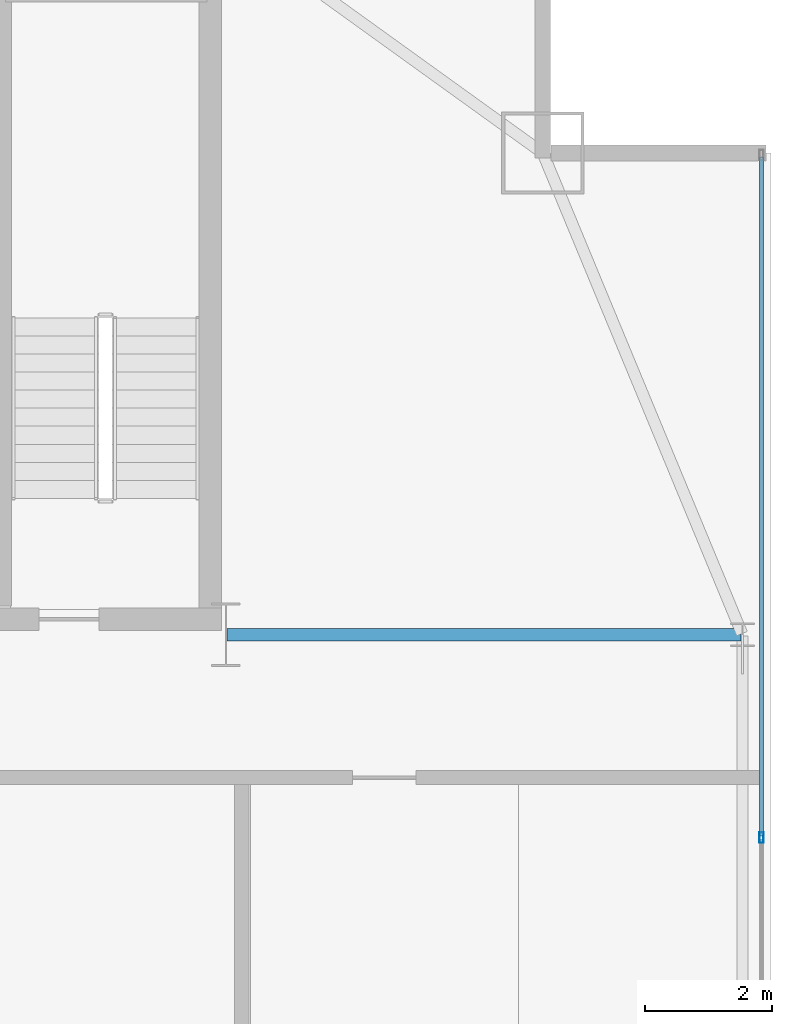
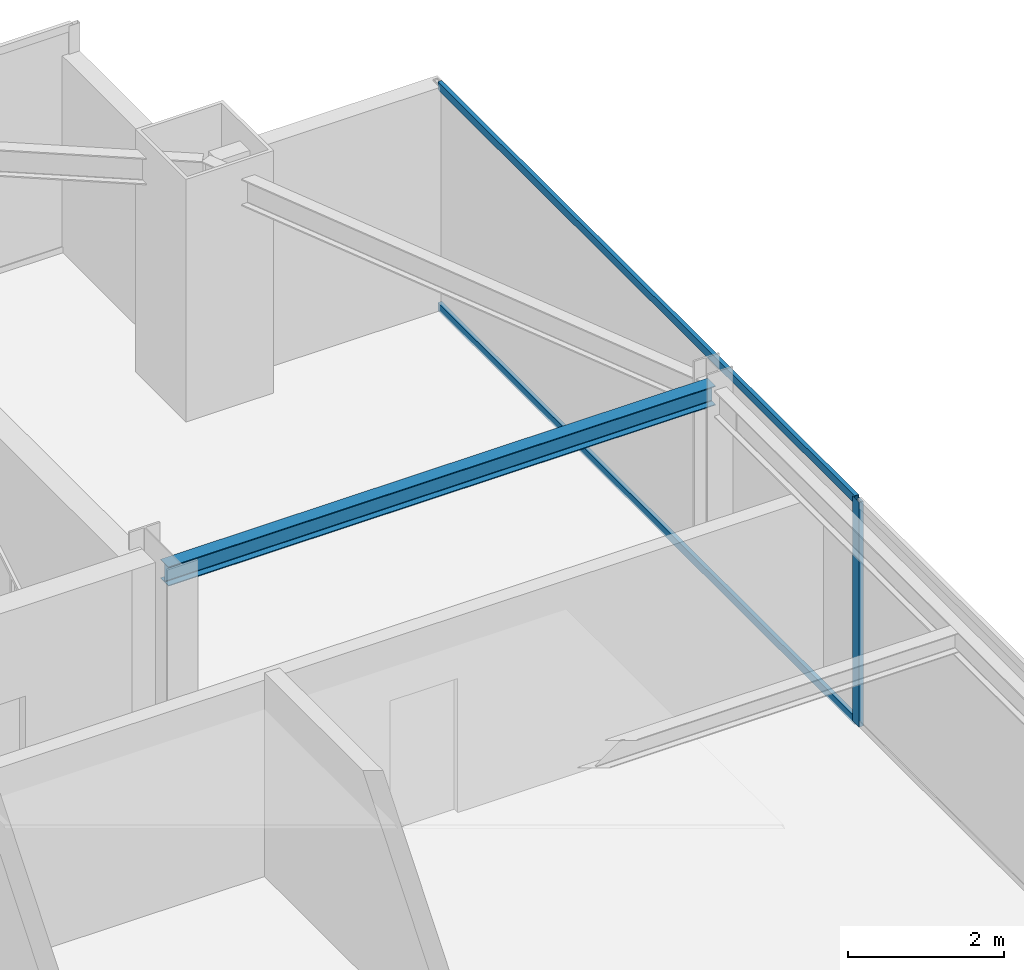
# One storey, part 19 of 29: 3 members, 1 beam, 1 element without a shape of its own.
"""IFC4 building model written with IfcOpenShell, lengths in metres."""

from ifc_helpers import new_model, si_unit, direction, frame, origin, origin_2d, place, context, subcontext, project, spatial, hollow_rectangle, i_section, extrude, source, transform, mapped, material, layer, layer_set, material_profile, profile_set, type_object, type_shapes, element, aggregate, save


model = new_model("IFC4")

# Units and contexts
model_context = context("Model", 3, precision=1e-05, world=origin(), true_north=direction((0.0, 1.0)))
body_context = subcontext(model_context, "Body", "Model", "MODEL_VIEW")
ifc_project = project(units=[si_unit("LENGTHUNIT", "METRE"), si_unit("AREAUNIT", "SQUARE_METRE"), si_unit("VOLUMEUNIT", "CUBIC_METRE"), si_unit("PLANEANGLEUNIT", "RADIAN"), si_unit("MASSUNIT", "GRAM", prefix="KILO")], contexts=[model_context])

# Site, building, storey
site_placement = place(None, origin())
site = spatial("IfcSite", under=ifc_project, at=site_placement, CompositionType="ELEMENT")
building_placement = place(site_placement, origin())
building = spatial("IfcBuilding", under=site, at=building_placement, Name="Varnel Quay Broadcast Tower", CompositionType="ELEMENT")
storey_placement = place(building_placement, frame((0.0, 0.0, 187.60009765625)))
storey = spatial("IfcBuildingStorey", under=building, at=storey_placement, Name="L46", CompositionType="ELEMENT", Elevation=187.60009765625)

# Beam
ifc_material_1 = material(Name="Structural Steel CSA G40.21 350W", Category="steel")
ifc_material_profile_1 = material_profile(ifc_material_1, i_section(OverallWidth=0.202880859375, OverallDepth=0.302978515625, WebThickness=0.007568359375, FlangeThickness=0.01318359375, FilletRadius=0.011962890625, at=origin_2d()), Name="W310X60")
ifc_profile_set_1 = profile_set([ifc_material_profile_1], Name="Structural Steel CSA G40.21 350W")
beam_type = type_object("IfcBeamType", Name="Beam_W310X60", PredefinedType="JOIST", material=ifc_profile_set_1)
shared_shape_1 = source(origin(), body_context, "Body", "SweptSolid", [
    extrude(i_section(OverallWidth=0.202880859375, OverallDepth=0.302978515625, WebThickness=0.007568359375, FlangeThickness=0.01318359375, FilletRadius=0.011962890625, at=origin_2d()), origin(), (0.0, 0.0, 1.0), 8.110107421875),
])
type_shapes(beam_type, [shared_shape_1])
beam_placement = place(storey_placement, frame((52.419921875, 35.60009765625, 3.368408203125), z_axis=(1.0, 0.0, 0.0), x_axis=(0.0, 1.0, 0.0)))
element("IfcBeam", 1, at=beam_placement, inside=storey, type_object=beam_type, Name="L46 East Core Tie Joist", PredefinedType="JOIST", context=body_context, shape_type="MappedRepresentation", body=[
    mapped(shared_shape_1, transform((0.0, 0.0, 0.0), x_axis=(1.0, 0.0, 0.0), y_axis=(0.0, 1.0, 0.0), z_axis=(0.0, 0.0, 1.0), scale=1.0)),
])

# Curtain wall, members
ifc_material_2 = material(Name="Anodised Bronze Aluminium 6063-T6", Category="aluminium")
ifc_layer = layer(ifc_material_2, 0.18994140625, Name="Anodised Bronze Aluminium 6063-T6")
ifc_layer_set = layer_set([ifc_layer], Name="Anodised Bronze Aluminium 6063-T6")
curtain_wall_type = type_object("IfcCurtainWallType", Name="CW_UpperTower", PredefinedType="NOTDEFINED", material=ifc_layer_set)
curtain_wall_placement = place(storey_placement, origin())
curtain_wall = element("IfcCurtainWall", 2, at=curtain_wall_placement, inside=storey, type_object=curtain_wall_type, Name="L46 East Unitised Curtain Wall", PredefinedType="NOTDEFINED")
ifc_material_profile_2 = material_profile(ifc_material_2, hollow_rectangle(XDim=0.06005859375, YDim=0.125, WallThickness=0.0029296875, at=origin_2d()), Name="ALU60X125X3")
ifc_profile_set_2 = profile_set([ifc_material_profile_2], Name="Anodised Bronze Aluminium 6063-T6")
member_type_1 = type_object("IfcMemberType", Name="Tran_CWS-03", PredefinedType="USERDEFINED", material=ifc_profile_set_2)
shared_shape_2 = source(origin(), body_context, "Body", "SweptSolid", [
    extrude(hollow_rectangle(XDim=0.06005859375, YDim=0.125, WallThickness=0.0029296875, at=origin_2d()), origin(), (0.0, 0.0, 1.0), 10.702392578125),
])
type_shapes(member_type_1, [shared_shape_2])
member_1_placement = place(storey_placement, frame((60.85009765625, 32.4326171875, 0.02978515625), z_axis=(0.0, 1.0, 0.0), x_axis=(-1.0, 0.0, 0.0)))
member_1 = element("IfcMember", 3, at=member_1_placement, type_object=member_type_1, Name="CWS-03 transom 3.1", ObjectType="TRANSOM", PredefinedType="USERDEFINED", context=body_context, shape_type="MappedRepresentation", body=[
    mapped(shared_shape_2, transform((0.0, 0.0, 0.0), x_axis=(1.0, 0.0, 0.0), y_axis=(0.0, 1.0, 0.0), z_axis=(0.0, 0.0, 1.0), scale=1.0)),
])
member_2_placement = place(storey_placement, frame((60.85009765625, 32.4326171875, 3.489990234375), z_axis=(0.0, 1.0, 0.0), x_axis=(-1.0, 0.0, 0.0)))
member_2 = element("IfcMember", 4, at=member_2_placement, type_object=member_type_1, Name="CWS-03 transom 3.2", ObjectType="TRANSOM", PredefinedType="USERDEFINED", context=body_context, shape_type="MappedRepresentation", body=[
    mapped(shared_shape_2, transform((0.0, 0.0, 0.0), x_axis=(1.0, 0.0, 0.0), y_axis=(0.0, 1.0, 0.0), z_axis=(0.0, 0.0, 1.0), scale=1.0)),
])
ifc_material_profile_3 = material_profile(ifc_material_2, hollow_rectangle(XDim=0.06494140625, YDim=0.1650390625, WallThickness=0.00341796875, at=origin_2d()), Name="ALU65X165X3.5")
ifc_profile_set_3 = profile_set([ifc_material_profile_3], Name="Anodised Bronze Aluminium 6063-T6")
member_type_2 = type_object("IfcMemberType", Name="Mull_CWS-03", PredefinedType="MULLION", material=ifc_profile_set_3)
shared_shape_3 = source(origin(), body_context, "Body", "SweptSolid", [
    extrude(hollow_rectangle(XDim=0.06494140625, YDim=0.1650390625, WallThickness=0.00341796875, at=origin_2d()), origin(), (0.0, 0.0, 1.0), 3.52001953125),
])
type_shapes(member_type_2, [shared_shape_3])
member_3_placement = place(storey_placement, frame((60.85009765625, 32.39990234375, 0.0), z_axis=(0.0, 0.0, 1.0), x_axis=(-1.0, 0.0, 0.0)))
member_3 = element("IfcMember", 5, at=member_3_placement, type_object=member_type_2, Name="CWS-03 mullion 3", PredefinedType="MULLION", context=body_context, shape_type="MappedRepresentation", body=[
    mapped(shared_shape_3, transform((0.0, 0.0, 0.0), x_axis=(1.0, 0.0, 0.0), y_axis=(0.0, 1.0, 0.0), z_axis=(0.0, 0.0, 1.0), scale=1.0)),
])
aggregate(curtain_wall, [member_3, member_1, member_2])

save(model, "model.ifc")
